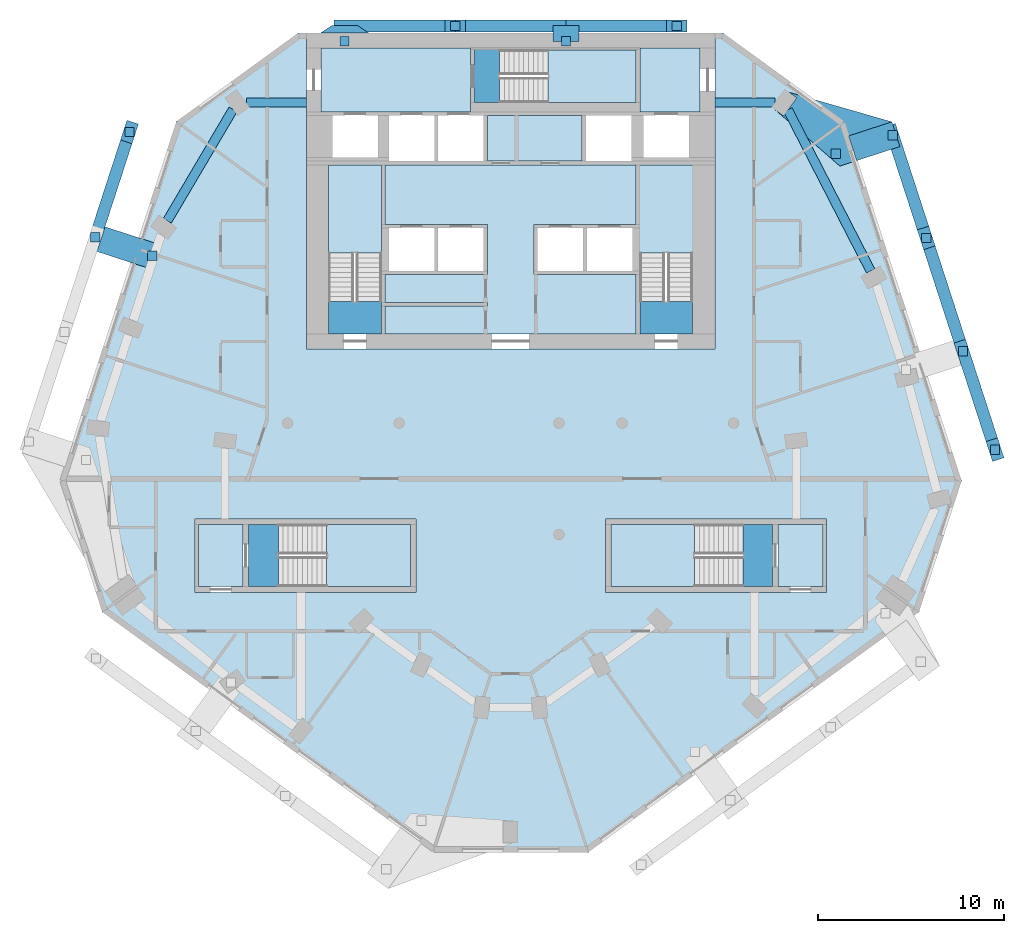
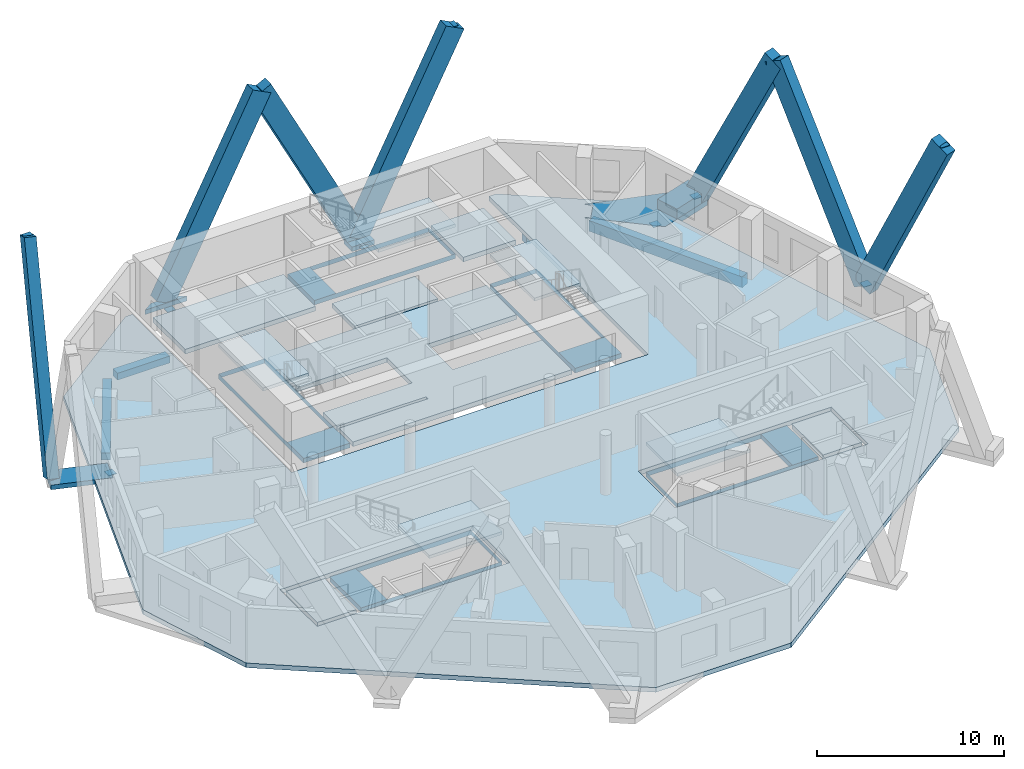
# One storey, part 2 of 10: 17 slabs, 12 discrete accessories, 12 members, 4 beams, 5 elements without a shape of their own.
"""IFC4 building model written with IfcOpenShell, lengths in metres."""

from ifc_helpers import new_model, si_unit, direction, frame, origin, origin_2d, place, context, subcontext, project, spatial, polyline, rectangle, outline, extrude, material, layer, layer_set, material_profile, profile_set, type_object, element, aggregate, save


model = new_model("IFC4")

# Units and contexts
model_context = context("Model", 3, precision=1e-05, world=origin(), true_north=direction((0.0, 1.0)))
body_context = subcontext(model_context, "Body", "Model", "MODEL_VIEW")
ifc_project = project(units=[si_unit("LENGTHUNIT", "METRE"), si_unit("AREAUNIT", "SQUARE_METRE"), si_unit("VOLUMEUNIT", "CUBIC_METRE"), si_unit("PLANEANGLEUNIT", "RADIAN"), si_unit("MASSUNIT", "GRAM", prefix="KILO")], contexts=[model_context])

# Site, building, storey
site_placement = place(None, origin())
site = spatial("IfcSite", under=ifc_project, at=site_placement, CompositionType="ELEMENT")
building_placement = place(site_placement, origin())
building = spatial("IfcBuilding", under=site, at=building_placement, Name="White Candle Pilgrim Tower", CompositionType="ELEMENT")
storey_placement = place(building_placement, frame((0.0, 0.0, 231.60009765625)))
storey = spatial("IfcBuildingStorey", under=building, at=storey_placement, Name="L54", CompositionType="ELEMENT", Elevation=231.60009765625)

# Member
ifc_material_1 = material(Name="Concrete C70/85, white", Category="concrete")
ifc_material_profile_1 = material_profile(ifc_material_1, rectangle(XDim=0.64990234375, YDim=1.25, at=origin_2d()), Name="RC-DG 650x1250")
ifc_profile_set_1 = profile_set([ifc_material_profile_1], Name="Concrete C70/85, white")
member_type_1 = type_object("IfcMemberType", Name="Exoskeleton diagonal RC-DG 650x1250 C70/85", PredefinedType="BRACE", material=ifc_profile_set_1)
member_1_placement = place(storey_placement, frame((72.97900390625, 88.375, 0.0), z_axis=(0.453783992732, 0.0, 0.891111714624), x_axis=(0.0, 1.0, 0.0)))
member_1 = element("IfcMember", 1, at=member_1_placement, inside=storey, type_object=member_type_1, Name="Exoskeleton diagonal EX190", PredefinedType="BRACE", context=body_context, shape_type="SweptSolid", body=[
    extrude(rectangle(XDim=0.64990234375, YDim=1.25, at=origin_2d()), origin(), (0.0, 0.0, 1.0), 13.129638671875),
])

member_2_placement = place(storey_placement, frame((72.97900390625, 88.375, 0.0), z_axis=(-0.453783992732, 0.0, 0.891111714624), x_axis=(0.0, -1.0, 0.0)))
member_2 = element("IfcMember", 2, at=member_2_placement, inside=storey, type_object=member_type_1, Name="Exoskeleton diagonal EX191", PredefinedType="BRACE", context=body_context, shape_type="SweptSolid", body=[
    extrude(rectangle(XDim=0.64990234375, YDim=1.25, at=origin_2d()), origin(), (0.0, 0.0, 1.0), 13.129638671875),
])

member_3_placement = place(storey_placement, frame((61.06298828125, 88.375, 0.0), z_axis=(0.453783992732, 0.0, 0.891111714624), x_axis=(0.0, 1.0, 0.0)))
element("IfcMember", 3, at=member_3_placement, inside=storey, type_object=member_type_1, Name="Exoskeleton diagonal EX192", PredefinedType="BRACE", context=body_context, shape_type="SweptSolid", body=[
    extrude(rectangle(XDim=0.64990234375, YDim=1.25, at=origin_2d()), origin(), (0.0, 0.0, 1.0), 13.129638671875),
])

member_4_placement = place(storey_placement, frame((94.347900390625, 70.875244140625, 0.0), z_axis=(0.132935078124, -0.409128094342, 0.902741639355), x_axis=(0.951055626797, 0.309019731954, 0.0)))
member_4 = element("IfcMember", 4, at=member_4_placement, inside=storey, type_object=member_type_1, Name="Exoskeleton diagonal EX202", PredefinedType="BRACE", context=body_context, shape_type="SweptSolid", body=[
    extrude(rectangle(XDim=0.64990234375, YDim=1.25, at=origin_2d()), origin(), (0.0, 0.0, 1.0), 12.96044921875),
])

member_5_placement = place(storey_placement, frame((94.347900390625, 70.875244140625, 0.0), z_axis=(-0.148487526637, 0.456973382752, 0.876998735398), x_axis=(-0.951051700104, -0.309031816693, 0.0)))
member_5 = element("IfcMember", 5, at=member_5_placement, inside=storey, type_object=member_type_1, Name="Exoskeleton diagonal EX203", PredefinedType="BRACE", context=body_context, shape_type="SweptSolid", body=[
    extrude(rectangle(XDim=0.64990234375, YDim=1.25, at=origin_2d()), origin(), (0.0, 0.0, 1.0), 13.3408203125),
])

member_6_placement = place(storey_placement, frame((90.571044921875, 82.498779296875, 0.0), z_axis=(0.137471338988, -0.423085052114, 0.895600731149), x_axis=(0.951054750795, 0.309022427972, 0.0)))
member_6 = element("IfcMember", 6, at=member_6_placement, inside=storey, type_object=member_type_1, Name="Exoskeleton diagonal EX204", PredefinedType="BRACE", context=body_context, shape_type="SweptSolid", body=[
    extrude(rectangle(XDim=0.64990234375, YDim=1.25, at=origin_2d()), origin(), (0.0, 0.0, 1.0), 13.063720703125),
])

member_7_placement = place(storey_placement, frame((47.6435546875, 77.004150390625, 0.0), z_axis=(0.140237903975, 0.4316099479, 0.891092690556), x_axis=(-0.951056949657, 0.30901566062, 0.0)))
member_7 = element("IfcMember", 7, at=member_7_placement, inside=storey, type_object=member_type_1, Name="Exoskeleton diagonal EX238", PredefinedType="BRACE", context=body_context, shape_type="SweptSolid", body=[
    extrude(rectangle(XDim=0.64990234375, YDim=1.25, at=origin_2d()), origin(), (0.0, 0.0, 1.0), 13.1298828125),
])

ifc_layer_1 = layer(ifc_material_1, 0.300048828125)
ifc_layer_set_1 = layer_set([ifc_layer_1], Name="Node tie strut 3400x1400x300 C70/85")
member_type_2 = type_object("IfcMemberType", Name="Node tie strut 3400x1400x300 C70/85", PredefinedType="STRUT", material=ifc_layer_set_1)
member_8_placement = place(storey_placement, frame((0.0, 0.0, -0.35009765625)))
member_8 = element("IfcMember", 8, at=member_8_placement, inside=storey, type_object=member_type_2, Name="Node tie strut NC183", PredefinedType="STRUT", context=body_context, shape_type="SweptSolid", body=[
    extrude(outline(polyline([(87.72021484375, 80.83642578125), (90.953857421875, 81.88720703125), (90.521240234375, 83.21875), (84.98388671875, 84.809814453125), (85.396240234375, 84.51025390625), (84.69091796875, 83.53955078125), (84.22900390625, 83.875244140625), (87.72021484375, 80.83642578125)])), origin(), (0.0, 0.0, 1.0), 0.35009765625),
])

member_9_placement = place(storey_placement, origin())
element("IfcMember", 9, at=member_9_placement, inside=storey, type_object=member_type_2, Name="Node tie strut NC183", PredefinedType="STRUT", context=body_context, shape_type="SweptSolid", body=[
    extrude(outline(polyline([(88.623779296875, 81.130126953125), (90.953857421875, 81.88720703125), (90.521240234375, 83.21875), (88.191162109375, 82.461669921875), (88.623779296875, 81.130126953125)])), origin(), (0.0, 0.0, 1.0), 0.64990234375),
])

member_10_placement = place(storey_placement, frame((49.093994140625, 76.532958984375, -0.30029296875), z_axis=(0.0, 0.0, 1.0), x_axis=(-0.309016994375, -0.951056516295, 0.0)))
member_10 = element("IfcMember", 10, at=member_10_placement, inside=storey, type_object=member_type_2, Name="Node tie strut NC190", PredefinedType="STRUT", context=body_context, shape_type="SweptSolid", body=[
    extrude(rectangle(XDim=1.39990234375, YDim=3.39990234375, at=origin_2d()), origin(), (0.0, 0.0, 1.0), 0.300048828125),
])

ifc_layer_2 = layer(ifc_material_1, 0.300048828125)
ifc_layer_set_2 = layer_set([ifc_layer_2], Name="Node tie strut 850x1400x300 C70/85")
member_type_3 = type_object("IfcMemberType", Name="Node tie strut 850x1400x300 C70/85", PredefinedType="STRUT", material=ifc_layer_set_2)
member_11_placement = place(storey_placement, frame((72.97900390625, 87.97509765625, -0.30029296875), z_axis=(0.0, 0.0, 1.0), x_axis=(-1.0, 0.0, 0.0)))
member_11 = element("IfcMember", 11, at=member_11_placement, inside=storey, type_object=member_type_3, Name="Node tie strut NC184", PredefinedType="STRUT", context=body_context, shape_type="SweptSolid", body=[
    extrude(rectangle(XDim=1.39990234375, YDim=0.85009765625, at=origin_2d()), origin(), (0.0, 0.0, 1.0), 0.300048828125),
])

member_12_placement = place(storey_placement, frame((0.0, 0.0, -0.300048828125)))
member_12 = element("IfcMember", 12, at=member_12_placement, inside=storey, type_object=member_type_3, Name="Node tie strut NC185", PredefinedType="STRUT", context=body_context, shape_type="SweptSolid", body=[
    extrude(outline(polyline([(59.762939453125, 88.0), (62.363037109375, 88.0), (61.762939453125, 88.39990234375), (60.363037109375, 88.39990234375), (59.762939453125, 88.0)])), origin(), (0.0, 0.0, 1.0), 0.300048828125),
])

# Beams
ifc_material_2 = material(Name="Concrete C50/60", Category="concrete")
ifc_material_profile_2 = material_profile(ifc_material_2, rectangle(XDim=0.5, YDim=0.449951171875, at=origin_2d()), Name="RC-BM 500x450")
ifc_profile_set_2 = profile_set([ifc_material_profile_2], Name="Concrete C50/60")
beam_type_1 = type_object("IfcBeamType", Name="Spandrel beam RC-BM 500x450 C50/60", PredefinedType="BEAM", material=ifc_profile_set_2)
for number, where, z_axis, x_axis, name in (
    (13, (84.2255859375, 84.260009765625, -0.525146484375), (-1.0, 0.0, 0.0), (0.0, -1.0, 0.0), "L54 spandrel beam T10"),
    (14, (55.7744140625, 84.260009765625, -0.525146484375), (1.0, 0.0, 0.0), (0.0, 1.0, 0.0), "L54 spandrel beam T11"),
):
    element("IfcBeam", number, at=place(storey_placement, frame(where, z_axis=z_axis, x_axis=x_axis)), inside=storey, type_object=beam_type_1, Name=name, PredefinedType="BEAM", context=body_context, shape_type="SweptSolid", body=[
        extrude(rectangle(XDim=0.5, YDim=0.449951171875, at=origin_2d()), origin(), (0.0, 0.0, 1.0), 3.2255859375),
    ])
beam_1_placement = place(storey_placement, frame((55.058349609375, 83.884521484375, -0.525146484375), z_axis=(-0.508250169427, -0.861209478163, 0.0), x_axis=(0.861209478163, -0.508250169427, 0.0)))
element("IfcBeam", 15, at=beam_1_placement, inside=storey, type_object=beam_type_1, Name="L54 spandrel beam T12", PredefinedType="BEAM", context=body_context, shape_type="SweptSolid", body=[
    extrude(rectangle(XDim=0.5, YDim=0.449951171875, at=origin_2d()), origin(), (0.0, 0.0, 1.0), 6.95361328125),
])
ifc_material_profile_3 = material_profile(ifc_material_2, rectangle(XDim=0.5, YDim=0.699951171875, at=origin_2d()), Name="RC-BM 500x700")
ifc_profile_set_3 = profile_set([ifc_material_profile_3], Name="Concrete C50/60")
beam_type_2 = type_object("IfcBeamType", Name="Spandrel beam RC-BM 500x700 C50/60", PredefinedType="BEAM", material=ifc_profile_set_3)
beam_2_placement = place(storey_placement, frame((89.377197265625, 75.196044921875, -0.650146484375), z_axis=(-0.457020130081, 0.889456351206, 0.0), x_axis=(-0.889456351206, -0.457020130081, 0.0)))
element("IfcBeam", 16, at=beam_2_placement, inside=storey, type_object=beam_type_2, Name="L54 spandrel beam T09", PredefinedType="BEAM", context=body_context, shape_type="SweptSolid", body=[
    extrude(rectangle(XDim=0.5, YDim=0.699951171875, at=origin_2d()), origin(), (0.0, 0.0, 1.0), 9.7421875),
])

# Slabs
ifc_material_3 = material(Name="Concrete C40/50", Category="concrete")
ifc_layer_3 = layer(ifc_material_3, 0.300048828125)
ifc_layer_set_3 = layer_set([ifc_layer_3], Name="Core floor slab 300 mm Concrete C40/50")
slab_type_1 = type_object("IfcSlabType", Name="Core floor slab 300 mm Concrete C40/50", PredefinedType="FLOOR", material=ifc_layer_set_3)
slab_1_placement = place(storey_placement, frame((0.0, 0.0, -0.300048828125)))
element("IfcSlab", 17, at=slab_1_placement, inside=storey, type_object=slab_type_1, Name="CF-L54-01", PredefinedType="FLOOR", context=body_context, shape_type="SweptSolid", body=[
    extrude(outline(polyline([(55.60009765625, 58.199951171875), (53.199951171875, 58.199951171875), (53.199951171875, 61.550048828125), (55.60009765625, 61.550048828125), (55.60009765625, 58.199951171875)])), origin(), (0.0, 0.0, 1.0), 0.300048828125),
])
slab_2_placement = place(storey_placement, frame((0.0, 0.0, -0.300048828125)))
element("IfcSlab", 18, at=slab_2_placement, inside=storey, type_object=slab_type_1, Name="CF-L54-02", PredefinedType="FLOOR", context=body_context, shape_type="SweptSolid", body=[
    extrude(outline(polyline([(55.89990234375, 58.199951171875), (55.89990234375, 61.550048828125), (64.60009765625, 61.550048828125), (64.60009765625, 58.199951171875), (55.89990234375, 58.199951171875)]), holes=[polyline([(57.501953125, 61.548095703125), (57.501953125, 58.201904296875), (64.597900390625, 58.201904296875), (64.597900390625, 61.548095703125), (57.501953125, 61.548095703125)])]), origin(), (0.0, 0.0, 1.0), 0.300048828125),
])
slab_3_placement = place(storey_placement, frame((0.0, 0.0, -0.300048828125)))
element("IfcSlab", 19, at=slab_3_placement, inside=storey, type_object=slab_type_1, Name="CF-L54-03", PredefinedType="FLOOR", context=body_context, shape_type="SweptSolid", body=[
    extrude(outline(polyline([(75.39990234375, 58.199951171875), (75.39990234375, 61.550048828125), (84.10009765625, 61.550048828125), (84.10009765625, 58.199951171875), (75.39990234375, 58.199951171875)]), holes=[polyline([(82.498046875, 58.201904296875), (82.498046875, 61.548095703125), (75.402099609375, 61.548095703125), (75.402099609375, 58.201904296875), (82.498046875, 58.201904296875)])]), origin(), (0.0, 0.0, 1.0), 0.300048828125),
])
slab_4_placement = place(storey_placement, frame((0.0, 0.0, -0.300048828125)))
element("IfcSlab", 20, at=slab_4_placement, inside=storey, type_object=slab_type_1, Name="CF-L54-04", PredefinedType="FLOOR", context=body_context, shape_type="SweptSolid", body=[
    extrude(outline(polyline([(86.800048828125, 58.199951171875), (84.39990234375, 58.199951171875), (84.39990234375, 61.550048828125), (86.800048828125, 61.550048828125), (86.800048828125, 58.199951171875)])), origin(), (0.0, 0.0, 1.0), 0.300048828125),
])
slab_5_placement = place(storey_placement, frame((0.0, 0.0, -0.300048828125)))
element("IfcSlab", 21, at=slab_5_placement, inside=storey, type_object=slab_type_1, Name="CF-L54-05", PredefinedType="FLOOR", context=body_context, shape_type="SweptSolid", body=[
    extrude(outline(polyline([(76.949951171875, 71.800048828125), (76.949951171875, 75.0), (76.949951171875, 75.199951171875), (76.949951171875, 77.5), (76.949951171875, 77.699951171875), (76.949951171875, 80.89990234375), (79.800048828125, 80.89990234375), (79.800048828125, 71.800048828125), (76.949951171875, 71.800048828125)]), holes=[polyline([(76.951904296875, 73.552001953125), (79.798095703125, 73.552001953125), (79.798095703125, 80.89794921875), (76.951904296875, 80.89794921875), (76.951904296875, 73.552001953125)])]), origin(), (0.0, 0.0, 1.0), 0.300048828125),
])
slab_6_placement = place(storey_placement, frame((0.0, 0.0, -0.300048828125)))
element("IfcSlab", 22, at=slab_6_placement, inside=storey, type_object=slab_type_1, Name="CF-L54-06", PredefinedType="FLOOR", context=body_context, shape_type="SweptSolid", body=[
    extrude(outline(polyline([(63.25, 71.800048828125), (63.25, 73.300048828125), (68.75, 73.300048828125), (68.75, 73.5), (63.25, 73.5), (63.25, 75.0), (68.75, 75.0), (68.75, 75.199951171875), (68.75, 77.5), (68.75, 77.699951171875), (63.25, 77.699951171875), (63.25, 80.89990234375), (76.75, 80.89990234375), (76.75, 77.699951171875), (71.25, 77.699951171875), (71.25, 77.5), (71.25, 75.199951171875), (71.25, 75.0), (76.75, 75.0), (76.75, 71.800048828125), (63.25, 71.800048828125)])), origin(), (0.0, 0.0, 1.0), 0.300048828125),
])
slab_7_placement = place(storey_placement, frame((0.0, 0.0, -0.300048828125)))
element("IfcSlab", 23, at=slab_7_placement, inside=storey, type_object=slab_type_1, Name="CF-L54-07", PredefinedType="FLOOR", context=body_context, shape_type="SweptSolid", body=[
    extrude(outline(polyline([(60.199951171875, 71.800048828125), (60.199951171875, 80.89990234375), (63.050048828125, 80.89990234375), (63.050048828125, 77.699951171875), (63.050048828125, 77.5), (63.050048828125, 75.199951171875), (63.050048828125, 75.0), (63.050048828125, 73.5), (63.050048828125, 73.300048828125), (63.050048828125, 71.800048828125), (60.199951171875, 71.800048828125)]), holes=[polyline([(60.201904296875, 73.552001953125), (63.048095703125, 73.552001953125), (63.048095703125, 80.89794921875), (60.201904296875, 80.89794921875), (60.201904296875, 73.552001953125)])]), origin(), (0.0, 0.0, 1.0), 0.300048828125),
])
slab_8_placement = place(storey_placement, frame((0.0, 0.0, -0.300048828125)))
element("IfcSlab", 24, at=slab_8_placement, inside=storey, type_object=slab_type_1, Name="CF-L54-08", PredefinedType="FLOOR", context=body_context, shape_type="SweptSolid", body=[
    extrude(outline(polyline([(59.800048828125, 87.199951171875), (67.85009765625, 87.199951171875), (67.85009765625, 87.10009765625), (67.85009765625, 84.25), (67.85009765625, 83.75), (59.800048828125, 83.75), (59.800048828125, 87.199951171875)])), origin(), (0.0, 0.0, 1.0), 0.300048828125),
])
slab_9_placement = place(storey_placement, frame((0.0, 0.0, -0.300048828125)))
element("IfcSlab", 25, at=slab_9_placement, inside=storey, type_object=slab_type_1, Name="CF-L54-09", PredefinedType="FLOOR", context=body_context, shape_type="SweptSolid", body=[
    extrude(outline(polyline([(80.199951171875, 87.199951171875), (80.199951171875, 83.75), (76.949951171875, 83.75), (76.949951171875, 84.25), (76.949951171875, 87.10009765625), (76.949951171875, 87.199951171875), (80.199951171875, 87.199951171875)])), origin(), (0.0, 0.0, 1.0), 0.300048828125),
])
slab_10_placement = place(storey_placement, frame((0.0, 0.0, -0.300048828125)))
element("IfcSlab", 26, at=slab_10_placement, inside=storey, type_object=slab_type_1, Name="CF-L54-10", PredefinedType="FLOOR", context=body_context, shape_type="SweptSolid", body=[
    extrude(outline(polyline([(68.050048828125, 87.10009765625), (76.75, 87.10009765625), (76.75, 84.25), (68.050048828125, 84.25), (68.050048828125, 87.10009765625)]), holes=[polyline([(69.402099609375, 87.097900390625), (69.402099609375, 84.251953125), (76.748046875, 84.251953125), (76.748046875, 87.097900390625), (69.402099609375, 87.097900390625)])]), origin(), (0.0, 0.0, 1.0), 0.300048828125),
])
slab_11_placement = place(storey_placement, frame((0.0, 0.0, -0.300048828125)))
element("IfcSlab", 27, at=slab_11_placement, inside=storey, type_object=slab_type_1, Name="CF-L54-11", PredefinedType="FLOOR", context=body_context, shape_type="SweptSolid", body=[
    extrude(outline(polyline([(73.85009765625, 83.550048828125), (73.85009765625, 81.10009765625), (68.75, 81.10009765625), (68.75, 83.550048828125), (73.85009765625, 83.550048828125)])), origin(), (0.0, 0.0, 1.0), 0.300048828125),
])
ifc_layer_4 = layer(ifc_material_3, 0.300048828125)
ifc_layer_set_4 = layer_set([ifc_layer_4], Name="Floor slab 300 REI 120")
slab_type_2 = type_object("IfcSlabType", Name="Floor slab 300 REI 120", PredefinedType="FLOOR", material=ifc_layer_set_4)
slab_12_placement = place(storey_placement, frame((0.0, 0.0, -0.300048828125)))
element("IfcSlab", 28, at=slab_12_placement, inside=storey, type_object=slab_type_2, Name="L54 floor slab", PredefinedType="FLOOR", context=body_context, shape_type="SweptSolid", body=[
    extrude(outline(polyline([(65.82421875, 43.904296875), (74.17578125, 43.904296875), (91.980712890625, 56.84033203125), (94.274658203125, 63.900390625), (87.991455078125, 83.23779296875), (81.43701171875, 88.0), (81.0, 88.0), (81.0, 71.0), (59.0, 71.0), (59.0, 88.0), (58.56298828125, 88.0), (52.008544921875, 83.23779296875), (45.725341796875, 63.900390625), (48.019287109375, 56.84033203125), (65.82421875, 43.904296875)]), holes=[polyline([(53.0, 57.89990234375), (53.0, 61.85009765625), (64.89990234375, 61.85009765625), (64.89990234375, 57.89990234375), (53.0, 57.89990234375)]), polyline([(75.10009765625, 57.89990234375), (75.10009765625, 61.85009765625), (87.0, 61.85009765625), (87.0, 57.89990234375), (75.10009765625, 57.89990234375)])]), origin(), (0.0, 0.0, 1.0), 0.300048828125),
])

# Stair, slab
stair_type_1 = type_object("IfcStairType", Name="Exit stair 1 flight width 1350 mm", PredefinedType="HALF_TURN_STAIR", material=ifc_material_3)
stair_1_placement = place(storey_placement, origin())
stair_1 = element("IfcStair", 29, at=stair_1_placement, inside=storey, type_object=stair_type_1, Name="L54 stair 1", PredefinedType="NOTDEFINED")
ifc_layer_5 = layer(ifc_material_3, 0.199951171875)
ifc_layer_set_5 = layer_set([ifc_layer_5], Name="Stair landing Concrete C40/50")
slab_type_3 = type_object("IfcSlabType", Name="Stair landing Concrete C40/50", PredefinedType="LANDING", material=ifc_layer_set_5)
slab_13_placement = place(storey_placement, frame((0.0, 0.0, 1.75)))
slab_13 = element("IfcSlab", 30, at=slab_13_placement, type_object=slab_type_3, Name="ST1 landing 1", PredefinedType="LANDING", context=body_context, shape_type="SweptSolid", body=[
    extrude(outline(polyline([(63.052001953125, 76.14794921875), (60.197998046875, 76.14794921875), (60.197998046875, 80.902099609375), (63.052001953125, 80.902099609375), (63.052001953125, 76.14794921875)])), origin(), (0.0, 0.0, 1.0), 0.199951171875),
])
aggregate(stair_1, [slab_13])

stair_type_2 = type_object("IfcStairType", Name="Exit stair 2 flight width 1350 mm", PredefinedType="HALF_TURN_STAIR", material=ifc_material_3)
stair_2_placement = place(storey_placement, origin())
stair_2 = element("IfcStair", 31, at=stair_2_placement, inside=storey, type_object=stair_type_2, Name="L54 stair 2", PredefinedType="NOTDEFINED")
slab_14_placement = place(storey_placement, frame((0.0, 0.0, 1.75)))
slab_14 = element("IfcSlab", 32, at=slab_14_placement, type_object=slab_type_3, Name="ST2 landing 1", PredefinedType="LANDING", context=body_context, shape_type="SweptSolid", body=[
    extrude(outline(polyline([(79.802001953125, 76.14794921875), (76.947998046875, 76.14794921875), (76.947998046875, 80.902099609375), (79.802001953125, 80.902099609375), (79.802001953125, 76.14794921875)])), origin(), (0.0, 0.0, 1.0), 0.199951171875),
])
aggregate(stair_2, [slab_14])

stair_type_3 = type_object("IfcStairType", Name="Exit stair 3 flight width 1350 mm", PredefinedType="HALF_TURN_STAIR", material=ifc_material_3)
stair_3_placement = place(storey_placement, origin())
stair_3 = element("IfcStair", 33, at=stair_3_placement, inside=storey, type_object=stair_type_3, Name="L54 stair 3", PredefinedType="NOTDEFINED")
slab_15_placement = place(storey_placement, frame((0.0, 0.0, 1.75)))
slab_15 = element("IfcSlab", 34, at=slab_15_placement, type_object=slab_type_3, Name="ST3 landing 1", PredefinedType="LANDING", context=body_context, shape_type="SweptSolid", body=[
    extrude(outline(polyline([(71.998046875, 84.248046875), (71.998046875, 87.10205078125), (76.751953125, 87.10205078125), (76.751953125, 84.248046875), (71.998046875, 84.248046875)])), origin(), (0.0, 0.0, 1.0), 0.199951171875),
])
aggregate(stair_3, [slab_15])

stair_type_4 = type_object("IfcStairType", Name="Exit stair 4 flight width 1600 mm", PredefinedType="HALF_TURN_STAIR", material=ifc_material_3)
stair_4_placement = place(storey_placement, origin())
stair_4 = element("IfcStair", 35, at=stair_4_placement, inside=storey, type_object=stair_type_4, Name="L54 stair 4", PredefinedType="NOTDEFINED")
slab_16_placement = place(storey_placement, frame((0.0, 0.0, 1.75)))
slab_16 = element("IfcSlab", 36, at=slab_16_placement, type_object=slab_type_3, Name="ST4 landing 1", PredefinedType="LANDING", context=body_context, shape_type="SweptSolid", body=[
    extrude(outline(polyline([(79.902099609375, 61.552001953125), (79.902099609375, 58.197998046875), (75.39794921875, 58.197998046875), (75.39794921875, 61.552001953125), (79.902099609375, 61.552001953125)])), origin(), (0.0, 0.0, 1.0), 0.199951171875),
])
aggregate(stair_4, [slab_16])

stair_type_5 = type_object("IfcStairType", Name="Exit stair 5 flight width 1600 mm", PredefinedType="HALF_TURN_STAIR", material=ifc_material_3)
stair_5_placement = place(storey_placement, origin())
stair_5 = element("IfcStair", 37, at=stair_5_placement, inside=storey, type_object=stair_type_5, Name="L54 stair 5", PredefinedType="NOTDEFINED")
slab_17_placement = place(storey_placement, frame((0.0, 0.0, 1.75)))
slab_17 = element("IfcSlab", 38, at=slab_17_placement, type_object=slab_type_3, Name="ST5 landing 1", PredefinedType="LANDING", context=body_context, shape_type="SweptSolid", body=[
    extrude(outline(polyline([(60.097900390625, 58.197998046875), (60.097900390625, 61.552001953125), (64.60205078125, 61.552001953125), (64.60205078125, 58.197998046875), (60.097900390625, 58.197998046875)])), origin(), (0.0, 0.0, 1.0), 0.199951171875),
])
aggregate(stair_5, [slab_17])

# Discrete accessory
ifc_material_4 = material(Name="Steel S355", Category="steel")
ifc_layer_6 = layer(ifc_material_4, 0.02490234375)
ifc_layer_set_6 = layer_set([ifc_layer_6], Name="Gusset plate 500x500x25 S355")
discrete_accessory_type = type_object("IfcDiscreteAccessoryType", Name="Gusset plate 500x500x25 S355", PredefinedType="BRACKET", material=ifc_layer_set_6)
placement = place(building_placement, frame((0.0, 0.0, 243.300048828125)))
discrete_accessory_1_placement = place(placement, frame((78.93701171875, 88.375, -0.012451171875), z_axis=(0.0, 0.0, 1.0), x_axis=(1.0, 0.0, 0.0)))
discrete_accessory_1 = element("IfcDiscreteAccessory", 39, at=discrete_accessory_1_placement, type_object=discrete_accessory_type, Name="Gusset plate 0215", PredefinedType="BRACKET", context=body_context, shape_type="SweptSolid", body=[
    extrude(rectangle(XDim=0.5, YDim=0.5, at=origin_2d()), origin(), (0.0, 0.0, 1.0), 0.02490234375),
])

aggregate(member_1, [discrete_accessory_1])

discrete_accessory_2_placement = place(placement, frame((67.02099609375, 88.375, -0.012451171875), z_axis=(0.0, 0.0, 1.0), x_axis=(1.0, 0.0, 0.0)))
discrete_accessory_2 = element("IfcDiscreteAccessory", 40, at=discrete_accessory_2_placement, type_object=discrete_accessory_type, Name="Gusset plate 0216", PredefinedType="BRACKET", context=body_context, shape_type="SweptSolid", body=[
    extrude(rectangle(XDim=0.5, YDim=0.5, at=origin_2d()), origin(), (0.0, 0.0, 1.0), 0.02490234375),
])

aggregate(member_2, [discrete_accessory_2])

discrete_accessory_3_placement = place(storey_placement, frame((94.347900390625, 70.875244140625, -0.012451171875), z_axis=(0.0, 0.0, 1.0), x_axis=(1.0, 0.0, 0.0)))
discrete_accessory_3 = element("IfcDiscreteAccessory", 41, at=discrete_accessory_3_placement, type_object=discrete_accessory_type, Name="Gusset plate 0228", PredefinedType="BRACKET", context=body_context, shape_type="SweptSolid", body=[
    extrude(rectangle(XDim=0.5, YDim=0.5, at=origin_2d()), origin(), (0.0, 0.0, 1.0), 0.02490234375),
])

discrete_accessory_4_placement = place(placement, frame((96.07080078125, 65.57275390625, -0.012451171875), z_axis=(0.0, 0.0, 1.0), x_axis=(1.0, 0.0, 0.0)))
discrete_accessory_4 = element("IfcDiscreteAccessory", 42, at=discrete_accessory_4_placement, type_object=discrete_accessory_type, Name="Gusset plate 0229", PredefinedType="BRACKET", context=body_context, shape_type="SweptSolid", body=[
    extrude(rectangle(XDim=0.5, YDim=0.5, at=origin_2d()), origin(), (0.0, 0.0, 1.0), 0.02490234375),
])

aggregate(member_4, [discrete_accessory_3, discrete_accessory_4])

discrete_accessory_5_placement = place(placement, frame((92.366943359375, 76.9716796875, -0.012451171875), z_axis=(0.0, 0.0, 1.0), x_axis=(1.0, 0.0, 0.0)))
discrete_accessory_5 = element("IfcDiscreteAccessory", 43, at=discrete_accessory_5_placement, type_object=discrete_accessory_type, Name="Gusset plate 0230", PredefinedType="BRACKET", context=body_context, shape_type="SweptSolid", body=[
    extrude(rectangle(XDim=0.5, YDim=0.5, at=origin_2d()), origin(), (0.0, 0.0, 1.0), 0.02490234375),
])

aggregate(member_5, [discrete_accessory_5])

discrete_accessory_6_placement = place(storey_placement, frame((90.571044921875, 82.498779296875, -0.012451171875), z_axis=(0.0, 0.0, 1.0), x_axis=(1.0, 0.0, 0.0)))
discrete_accessory_6 = element("IfcDiscreteAccessory", 44, at=discrete_accessory_6_placement, type_object=discrete_accessory_type, Name="Gusset plate 0231", PredefinedType="BRACKET", context=body_context, shape_type="SweptSolid", body=[
    extrude(rectangle(XDim=0.5, YDim=0.5, at=origin_2d()), origin(), (0.0, 0.0, 1.0), 0.02490234375),
])

aggregate(member_6, [discrete_accessory_6])

discrete_accessory_7_placement = place(storey_placement, frame((47.6435546875, 77.004150390625, -0.012451171875), z_axis=(0.0, 0.0, 1.0), x_axis=(1.0, 0.0, 0.0)))
discrete_accessory_7 = element("IfcDiscreteAccessory", 45, at=discrete_accessory_7_placement, type_object=discrete_accessory_type, Name="Gusset plate 0277", PredefinedType="BRACKET", context=body_context, shape_type="SweptSolid", body=[
    extrude(rectangle(XDim=0.5, YDim=0.5, at=origin_2d()), origin(), (0.0, 0.0, 1.0), 0.02490234375),
])

discrete_accessory_8_placement = place(placement, frame((49.48486328125, 82.671142578125, -0.012451171875), z_axis=(0.0, 0.0, 1.0), x_axis=(1.0, 0.0, 0.0)))
discrete_accessory_8 = element("IfcDiscreteAccessory", 46, at=discrete_accessory_8_placement, type_object=discrete_accessory_type, Name="Gusset plate 0278", PredefinedType="BRACKET", context=body_context, shape_type="SweptSolid", body=[
    extrude(rectangle(XDim=0.5, YDim=0.5, at=origin_2d()), origin(), (0.0, 0.0, 1.0), 0.02490234375),
])

aggregate(member_7, [discrete_accessory_7, discrete_accessory_8])

discrete_accessory_9_placement = place(storey_placement, frame((87.50390625, 81.502197265625, -0.16259765625), z_axis=(0.0, 0.0, 1.0), x_axis=(1.0, 0.0, 0.0)))
discrete_accessory_9 = element("IfcDiscreteAccessory", 47, at=discrete_accessory_9_placement, type_object=discrete_accessory_type, Name="Gusset plate 0564", PredefinedType="BRACKET", context=body_context, shape_type="SweptSolid", body=[
    extrude(rectangle(XDim=0.5, YDim=0.5, at=origin_2d()), origin(), (0.0, 0.0, 1.0), 0.02490234375),
])

aggregate(member_8, [discrete_accessory_9])

discrete_accessory_10_placement = place(storey_placement, frame((72.97900390625, 87.550048828125, -0.16259765625), z_axis=(0.0, 0.0, 1.0), x_axis=(1.0, 0.0, 0.0)))
discrete_accessory_10 = element("IfcDiscreteAccessory", 48, at=discrete_accessory_10_placement, type_object=discrete_accessory_type, Name="Gusset plate 0565", PredefinedType="BRACKET", context=body_context, shape_type="SweptSolid", body=[
    extrude(rectangle(XDim=0.5, YDim=0.5, at=origin_2d()), origin(), (0.0, 0.0, 1.0), 0.02490234375),
])

aggregate(member_11, [discrete_accessory_10])

discrete_accessory_11_placement = place(storey_placement, frame((61.06298828125, 87.550048828125, -0.16259765625), z_axis=(0.0, 0.0, 1.0), x_axis=(1.0, 0.0, 0.0)))
discrete_accessory_11 = element("IfcDiscreteAccessory", 49, at=discrete_accessory_11_placement, type_object=discrete_accessory_type, Name="Gusset plate 0566", PredefinedType="BRACKET", context=body_context, shape_type="SweptSolid", body=[
    extrude(rectangle(XDim=0.5, YDim=0.5, at=origin_2d()), origin(), (0.0, 0.0, 1.0), 0.02490234375),
])

aggregate(member_12, [discrete_accessory_11])

discrete_accessory_12_placement = place(storey_placement, frame((50.710693359375, 76.007568359375, -0.16259765625), z_axis=(0.0, 0.0, 1.0), x_axis=(1.0, 0.0, 0.0)))
discrete_accessory_12 = element("IfcDiscreteAccessory", 50, at=discrete_accessory_12_placement, type_object=discrete_accessory_type, Name="Gusset plate 0571", PredefinedType="BRACKET", context=body_context, shape_type="SweptSolid", body=[
    extrude(rectangle(XDim=0.5, YDim=0.5, at=origin_2d()), origin(), (0.0, 0.0, 1.0), 0.02490234375),
])

aggregate(member_10, [discrete_accessory_12])

save(model, "model.ifc")
